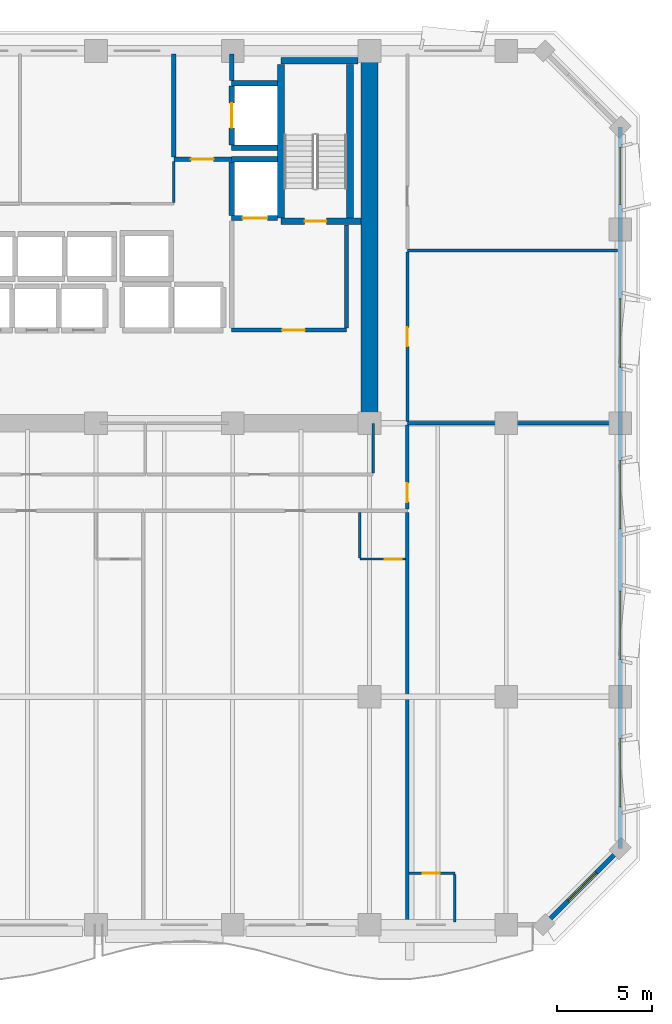
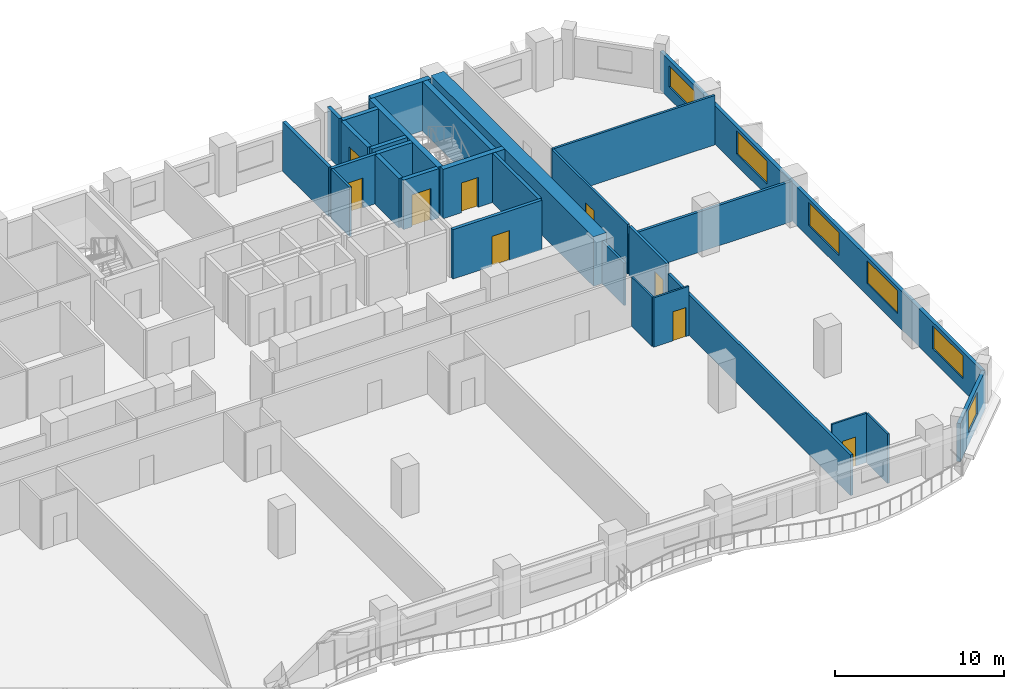
# One storey, part 8 of 14: 29 walls, 9 doors, 6 windows, 15 openings.
"""IFC4 building model written with IfcOpenShell, lengths in metres."""

from ifc_helpers import new_model, si_unit, direction, frame, frame_2d, origin, place, context, subcontext, project, spatial, rectangle, extrude, material, layer, layer_set, type_object, element, fill, save


model = new_model("IFC4")

# Units and contexts
model_context = context("Model", 3, precision=1e-05, world=origin(), true_north=direction((0.0, 1.0)))
body_context = subcontext(model_context, "Body", "Model", "MODEL_VIEW")
ifc_project = project(units=[si_unit("LENGTHUNIT", "METRE"), si_unit("AREAUNIT", "SQUARE_METRE"), si_unit("VOLUMEUNIT", "CUBIC_METRE"), si_unit("PLANEANGLEUNIT", "RADIAN"), si_unit("MASSUNIT", "GRAM", prefix="KILO")], contexts=[model_context])

# Site, building, storey
site_placement = place(None, origin())
site = spatial("IfcSite", under=ifc_project, at=site_placement, CompositionType="ELEMENT")
building_placement = place(site_placement, origin())
building = spatial("IfcBuilding", under=site, at=building_placement, Name="Kaelvorn Grand Hotel", CompositionType="ELEMENT")
storey_placement = place(building_placement, frame((0.0, 0.0, 216.75)))
storey = spatial("IfcBuildingStorey", under=building, at=storey_placement, Name="L53", CompositionType="ELEMENT", Elevation=216.75)

# Wall
ifc_material_1 = material(Name="Concrete C60/75", Category="concrete")
ifc_layer_1 = layer(ifc_material_1, 0.89990234375)
ifc_layer_set_1 = layer_set([ifc_layer_1], Name="Concrete C60/75")
wall_type_1 = type_object("IfcWallType", Name="WL-CORE-900-C60", PredefinedType="SHEAR", material=ifc_layer_set_1)
wall_1_placement = place(storey_placement, frame((67.800048828125, 29.39990234375, 0.0), z_axis=(0.0, 0.0, 1.0), x_axis=(0.0, 1.0, 0.0)))
element("IfcWall", 1, at=wall_1_placement, inside=storey, type_object=wall_type_1, Name="L53 Rear-Core East Shear Wall", PredefinedType="SHEAR", context=body_context, shape_type="SweptSolid", body=[
    extrude(rectangle(XDim=19.2001953125, YDim=0.89990234375, at=frame_2d((9.60009765625, 0.0))), origin(), (0.0, 0.0, 1.0), 3.56005859375),
])

# Wall, opening, window
ifc_material_2 = material(Name="Concrete C40/50", Category="concrete")
ifc_layer_2 = layer(ifc_material_2, 0.239990234375)
ifc_layer_set_2 = layer_set([ifc_layer_2], Name="Concrete C40/50")
wall_type_2 = type_object("IfcWallType", Name="WL-EXT-240-C40", PredefinedType="SOLIDWALL", material=ifc_layer_set_2)
wall_2_placement = place(storey_placement, frame((77.0, 3.0, 0.0), z_axis=(0.0, 0.0, 1.0), x_axis=(0.707106781187, 0.707106781187, 0.0)))
wall_2 = element("IfcWall", 2, at=wall_2_placement, inside=storey, type_object=wall_type_2, Name="L53 Exterior Architectural Concrete Wall 02", PredefinedType="SOLIDWALL", context=body_context, shape_type="SweptSolid", body=[
    extrude(rectangle(XDim=5.65673828125, YDim=0.239990234375, at=frame_2d((2.828369140625, 0.0))), origin(), (0.0, 0.0, 1.0), 2.760009765625),
])
opening_1_placement = place(wall_2_placement, frame((1.7783203125, 0.0, 0.85009765625)))
opening_1 = element("IfcOpeningElement", 3, at=opening_1_placement, cuts=wall_2, Name="Opening W7", PredefinedType="OPENING", context=body_context, shape_type="SweptSolid", body=[
    extrude(rectangle(XDim=2.10009765625, YDim=1.60009765625, at=frame_2d((1.050048828125, 0.800048828125))), frame((0.0, 0.1298828125, 0.0), z_axis=(0.0, -1.0, 0.0), x_axis=(1.0, 0.0, 0.0)), (0.0, 0.0, 1.0), 0.260009765625),
])
ifc_material_3 = material(Name="Laminated Low-E Glass", Category="glass")
window_type_1 = type_object("IfcWindowType", Name="WIN-CHM-2100x1600", PartitioningType="SINGLE_PANEL", PredefinedType="WINDOW", material=ifc_material_3)
window_1_placement = place(opening_1_placement, origin())
window_1 = element("IfcWindow", 4, at=window_1_placement, inside=storey, type_object=window_type_1, Name="L53 Chamfered 45-Degree Corner Window SE", OverallHeight=1.60009765625, OverallWidth=2.10009765625, PartitioningType="SINGLE_PANEL", PredefinedType="WINDOW", context=body_context, shape_type="SweptSolid", body=[
    extrude(rectangle(XDim=2.10009765625, YDim=1.60009765625, at=frame_2d((1.050048828125, 0.800048828125))), frame((0.0, 0.030029296875, 0.0), z_axis=(0.0, -1.0, 0.0), x_axis=(1.0, 0.0, 0.0)), (0.0, 0.0, 1.0), 0.06005859375),
])
fill(opening_1, window_1)

# Wall, openings, windows
wall_3_placement = place(storey_placement, frame((81.0, 7.0, 0.0), z_axis=(0.0, 0.0, 1.0), x_axis=(0.0, 1.0, 0.0)))
wall_3 = element("IfcWall", 5, at=wall_3_placement, inside=storey, type_object=wall_type_2, Name="L53 Exterior Architectural Concrete Wall 03", PredefinedType="SOLIDWALL", context=body_context, shape_type="SweptSolid", body=[
    extrude(rectangle(XDim=38.0, YDim=0.239990234375, at=frame_2d((19.0, 0.0))), origin(), (0.0, 0.0, 1.0), 2.760009765625),
])
opening_2_placement = place(wall_3_placement, frame((2.199951171875, 0.0, 0.85009765625)))
opening_2 = element("IfcOpeningElement", 6, at=opening_2_placement, cuts=wall_3, Name="Opening W3", PredefinedType="OPENING", context=body_context, shape_type="SweptSolid", body=[
    extrude(rectangle(XDim=3.60009765625, YDim=1.64990234375, at=frame_2d((1.800048828125, 0.824951171875))), frame((0.0, 0.1298828125, 0.0), z_axis=(0.0, -1.0, 0.0), x_axis=(1.0, 0.0, 0.0)), (0.0, 0.0, 1.0), 0.260009765625),
])
opening_3_placement = place(wall_3_placement, frame((9.965087890625, 0.0, 0.85009765625)))
opening_3 = element("IfcOpeningElement", 7, at=opening_3_placement, cuts=wall_3, Name="Opening W3", PredefinedType="OPENING", context=body_context, shape_type="SweptSolid", body=[
    extrude(rectangle(XDim=3.60009765625, YDim=1.64990234375, at=frame_2d((1.800048828125, 0.824951171875))), frame((0.0, 0.1298828125, 0.0), z_axis=(0.0, -1.0, 0.0), x_axis=(1.0, 0.0, 0.0)), (0.0, 0.0, 1.0), 0.260009765625),
])
opening_4_placement = place(wall_3_placement, frame((16.8349609375, 0.0, 0.85009765625)))
opening_4 = element("IfcOpeningElement", 8, at=opening_4_placement, cuts=wall_3, Name="Opening W3", PredefinedType="OPENING", context=body_context, shape_type="SweptSolid", body=[
    extrude(rectangle(XDim=3.60009765625, YDim=1.64990234375, at=frame_2d((1.800048828125, 0.824951171875))), frame((0.0, 0.1298828125, 0.0), z_axis=(0.0, -1.0, 0.0), x_axis=(1.0, 0.0, 0.0)), (0.0, 0.0, 1.0), 0.260009765625),
])
opening_5_placement = place(wall_3_placement, frame((25.35009765625, 0.0, 0.85009765625)))
opening_5 = element("IfcOpeningElement", 9, at=opening_5_placement, cuts=wall_3, Name="Opening W3", PredefinedType="OPENING", context=body_context, shape_type="SweptSolid", body=[
    extrude(rectangle(XDim=3.60009765625, YDim=1.64990234375, at=frame_2d((1.800048828125, 0.824951171875))), frame((0.0, 0.1298828125, 0.0), z_axis=(0.0, -1.0, 0.0), x_axis=(1.0, 0.0, 0.0)), (0.0, 0.0, 1.0), 0.260009765625),
])
opening_6_placement = place(wall_3_placement, frame((33.9150390625, 0.0, 0.85009765625)))
opening_6 = element("IfcOpeningElement", 10, at=opening_6_placement, cuts=wall_3, Name="Opening W5", PredefinedType="OPENING", context=body_context, shape_type="SweptSolid", body=[
    extrude(rectangle(XDim=3.0, YDim=1.5, at=frame_2d((1.5, 0.75))), frame((0.0, 0.1298828125, 0.0), z_axis=(0.0, -1.0, 0.0), x_axis=(1.0, 0.0, 0.0)), (0.0, 0.0, 1.0), 0.260009765625),
])
window_type_2 = type_object("IfcWindowType", Name="WIN-NTH-3000x1500", PartitioningType="SINGLE_PANEL", PredefinedType="WINDOW", material=ifc_material_3)
window_2_placement = place(opening_6_placement, origin())
window_2 = element("IfcWindow", 11, at=window_2_placement, inside=storey, type_object=window_type_2, Name="L53 E Wing Tilted-Frame Ribbon Window E05", OverallHeight=1.5, OverallWidth=3.0, PartitioningType="SINGLE_PANEL", PredefinedType="WINDOW", context=body_context, shape_type="SweptSolid", body=[
    extrude(rectangle(XDim=3.0, YDim=1.5, at=frame_2d((1.5, 0.75))), frame((0.0, 0.030029296875, 0.0), z_axis=(0.0, -1.0, 0.0), x_axis=(1.0, 0.0, 0.0)), (0.0, 0.0, 1.0), 0.06005859375),
])
fill(opening_6, window_2)
window_type_3 = type_object("IfcWindowType", Name="WIN-RIB-3600x1750", PartitioningType="SINGLE_PANEL", PredefinedType="WINDOW", material=ifc_material_3)
window_3_placement = place(opening_2_placement, origin())
window_3 = element("IfcWindow", 12, at=window_3_placement, inside=storey, type_object=window_type_3, Name="L53 E Wing Tilted-Frame Ribbon Window E01", OverallHeight=1.64990234375, OverallWidth=3.60009765625, PartitioningType="SINGLE_PANEL", PredefinedType="WINDOW", context=body_context, shape_type="SweptSolid", body=[
    extrude(rectangle(XDim=3.60009765625, YDim=1.64990234375, at=frame_2d((1.800048828125, 0.824951171875))), frame((0.0, 0.030029296875, 0.0), z_axis=(0.0, -1.0, 0.0), x_axis=(1.0, 0.0, 0.0)), (0.0, 0.0, 1.0), 0.06005859375),
])
fill(opening_2, window_3)
window_4_placement = place(opening_3_placement, origin())
window_4 = element("IfcWindow", 13, at=window_4_placement, inside=storey, type_object=window_type_3, Name="L53 E Wing Tilted-Frame Ribbon Window E02", OverallHeight=1.64990234375, OverallWidth=3.60009765625, PartitioningType="SINGLE_PANEL", PredefinedType="WINDOW", context=body_context, shape_type="SweptSolid", body=[
    extrude(rectangle(XDim=3.60009765625, YDim=1.64990234375, at=frame_2d((1.800048828125, 0.824951171875))), frame((0.0, 0.030029296875, 0.0), z_axis=(0.0, -1.0, 0.0), x_axis=(1.0, 0.0, 0.0)), (0.0, 0.0, 1.0), 0.06005859375),
])
fill(opening_3, window_4)
window_5_placement = place(opening_4_placement, origin())
window_5 = element("IfcWindow", 14, at=window_5_placement, inside=storey, type_object=window_type_3, Name="L53 E Wing Tilted-Frame Ribbon Window E03", OverallHeight=1.64990234375, OverallWidth=3.60009765625, PartitioningType="SINGLE_PANEL", PredefinedType="WINDOW", context=body_context, shape_type="SweptSolid", body=[
    extrude(rectangle(XDim=3.60009765625, YDim=1.64990234375, at=frame_2d((1.800048828125, 0.824951171875))), frame((0.0, 0.030029296875, 0.0), z_axis=(0.0, -1.0, 0.0), x_axis=(1.0, 0.0, 0.0)), (0.0, 0.0, 1.0), 0.06005859375),
])
fill(opening_4, window_5)
window_6_placement = place(opening_5_placement, origin())
window_6 = element("IfcWindow", 15, at=window_6_placement, inside=storey, type_object=window_type_3, Name="L53 E Wing Tilted-Frame Ribbon Window E04", OverallHeight=1.64990234375, OverallWidth=3.60009765625, PartitioningType="SINGLE_PANEL", PredefinedType="WINDOW", context=body_context, shape_type="SweptSolid", body=[
    extrude(rectangle(XDim=3.60009765625, YDim=1.64990234375, at=frame_2d((1.800048828125, 0.824951171875))), frame((0.0, 0.030029296875, 0.0), z_axis=(0.0, -1.0, 0.0), x_axis=(1.0, 0.0, 0.0)), (0.0, 0.0, 1.0), 0.06005859375),
])
fill(opening_5, window_6)

# Wall, opening, door
ifc_material_4 = material(Name="Moisture-Resistant Tile & Stud Board")
ifc_layer_3 = layer(ifc_material_4, 0.125)
ifc_layer_set_3 = layer_set([ifc_layer_3], Name="Moisture-Resistant Tile & Stud Board")
wall_type_3 = type_object("IfcWallType", Name="WL-PART-125-WET", PredefinedType="PARTITIONING", material=ifc_layer_set_3)
wall_4_placement = place(storey_placement, frame((67.300048828125, 22.25, 0.0), z_axis=(0.0, 0.0, 1.0), x_axis=(1.0, 0.0, 0.0)))
wall_4 = element("IfcWall", 16, at=wall_4_placement, inside=storey, type_object=wall_type_3, Name="L53 En-suite Bathroom L53-04 S Partition", PredefinedType="PARTITIONING", context=body_context, shape_type="SweptSolid", body=[
    extrude(rectangle(XDim=2.405029296875, YDim=0.125, at=frame_2d((1.20263671875, 0.0))), origin(), (0.0, 0.0, 1.0), 3.56005859375),
])
opening_7_placement = place(wall_4_placement, frame((1.300048828125, 0.0, 0.0)))
opening_7 = element("IfcOpeningElement", 17, at=opening_7_placement, cuts=wall_4, Name="Opening DI4", PredefinedType="OPENING", context=body_context, shape_type="SweptSolid", body=[
    extrude(rectangle(XDim=0.89990234375, YDim=2.10009765625, at=frame_2d((0.449951171875, 1.050048828125))), frame((0.0, 0.072509765625, 0.0), z_axis=(0.0, -1.0, 0.0), x_axis=(1.0, 0.0, 0.0)), (0.0, 0.0, 1.0), 0.14501953125),
])
ifc_material_5 = material(Name="Timber Veneer Leaf", Category="wood")
door_type_1 = type_object("IfcDoorType", Name="DR-INT-BATH-900x2100", OperationType="NOTDEFINED", PredefinedType="DOOR", material=ifc_material_5)
door_1_placement = place(opening_7_placement, origin())
door_1 = element("IfcDoor", 18, at=door_1_placement, inside=storey, type_object=door_type_1, Name="L53 En-suite Bathroom L53-04 Door", OperationType="SINGLE_SWING_LEFT", OverallHeight=2.10009765625, OverallWidth=0.89990234375, PredefinedType="DOOR", context=body_context, shape_type="SweptSolid", body=[
    extrude(rectangle(XDim=0.89990234375, YDim=2.10009765625, at=frame_2d((0.449951171875, 1.050048828125))), frame((0.0, 0.02490234375, 0.0), z_axis=(0.0, -1.0, 0.0), x_axis=(1.0, 0.0, 0.0)), (0.0, 0.0, 1.0), 0.050048828125),
])
fill(opening_7, door_1)

# Wall
wall_5_placement = place(storey_placement, frame((67.300048828125, 22.3173828125, 0.0), z_axis=(0.0, 0.0, 1.0), x_axis=(0.0, 1.0, 0.0)))
element("IfcWall", 19, at=wall_5_placement, inside=storey, type_object=wall_type_3, Name="L53 En-suite Bathroom L53-04 W Partition", PredefinedType="PARTITIONING", context=body_context, shape_type="SweptSolid", body=[
    extrude(rectangle(XDim=2.3876953125, YDim=0.125, at=frame_2d((1.19384765625, 0.0))), origin(), (0.0, 0.0, 1.0), 3.56005859375),
])

# Wall, opening, door
wall_6_placement = place(storey_placement, frame((69.89501953125, 5.699951171875, 0.0), z_axis=(0.0, 0.0, 1.0), x_axis=(1.0, 0.0, 0.0)))
wall_6 = element("IfcWall", 20, at=wall_6_placement, inside=storey, type_object=wall_type_3, Name="L53 En-suite Bathroom L53-06 N Partition", PredefinedType="PARTITIONING", context=body_context, shape_type="SweptSolid", body=[
    extrude(rectangle(XDim=2.405029296875, YDim=0.125, at=frame_2d((1.20263671875, 0.0))), origin(), (0.0, 0.0, 1.0), 3.56005859375),
])
opening_8_placement = place(wall_6_placement, frame((0.705078125, 0.0, 0.0)))
opening_8 = element("IfcOpeningElement", 21, at=opening_8_placement, cuts=wall_6, Name="Opening DI4", PredefinedType="OPENING", context=body_context, shape_type="SweptSolid", body=[
    extrude(rectangle(XDim=0.89990234375, YDim=2.10009765625, at=frame_2d((0.449951171875, 1.050048828125))), frame((0.0, 0.072509765625, 0.0), z_axis=(0.0, -1.0, 0.0), x_axis=(1.0, 0.0, 0.0)), (0.0, 0.0, 1.0), 0.14501953125),
])
door_2_placement = place(opening_8_placement, origin())
door_2 = element("IfcDoor", 22, at=door_2_placement, inside=storey, type_object=door_type_1, Name="L53 En-suite Bathroom L53-06 Door", OperationType="SINGLE_SWING_LEFT", OverallHeight=2.10009765625, OverallWidth=0.89990234375, PredefinedType="DOOR", context=body_context, shape_type="SweptSolid", body=[
    extrude(rectangle(XDim=0.89990234375, YDim=2.10009765625, at=frame_2d((0.449951171875, 1.050048828125))), frame((0.0, 0.02490234375, 0.0), z_axis=(0.0, -1.0, 0.0), x_axis=(1.0, 0.0, 0.0)), (0.0, 0.0, 1.0), 0.050048828125),
])
fill(opening_8, door_2)

# Walls
wall_7_placement = place(storey_placement, frame((72.300048828125, 3.14990234375, 0.0), z_axis=(0.0, 0.0, 1.0), x_axis=(0.0, 1.0, 0.0)))
element("IfcWall", 23, at=wall_7_placement, inside=storey, type_object=wall_type_3, Name="L53 En-suite Bathroom L53-06 E Partition", PredefinedType="PARTITIONING", context=body_context, shape_type="SweptSolid", body=[
    extrude(rectangle(XDim=2.482666015625, YDim=0.125, at=frame_2d((1.2412109375, 0.0))), origin(), (0.0, 0.0, 1.0), 3.56005859375),
])
ifc_material_6 = material(Name="Acoustic Gypsum & Stud Partition")
ifc_layer_4 = layer(ifc_material_6, 0.14990234375)
ifc_layer_set_4 = layer_set([ifc_layer_4], Name="Acoustic Gypsum & Stud Partition")
wall_type_4 = type_object("IfcWallType", Name="WL-PART-150-EI60", PredefinedType="PARTITIONING", material=ifc_layer_set_4)
wall_8_placement = place(storey_placement, frame((57.5, 41.030029296875, 0.0), z_axis=(0.0, 0.0, 1.0), x_axis=(0.0, 1.0, 0.0)))
element("IfcWall", 24, at=wall_8_placement, inside=storey, type_object=wall_type_4, Name="L53 Butler Servery Pantry E Partition", PredefinedType="PARTITIONING", context=body_context, shape_type="SweptSolid", body=[
    extrude(rectangle(XDim=2.155029296875, YDim=0.14990234375, at=frame_2d((1.07763671875, 0.0))), origin(), (0.0, 0.0, 1.0), 3.56005859375),
])
wall_9_placement = place(storey_placement, frame((68.0, 26.780029296875, 0.0), z_axis=(0.0, 0.0, 1.0), x_axis=(0.0, 1.0, 0.0)))
element("IfcWall", 25, at=wall_9_placement, inside=storey, type_object=wall_type_4, Name="L53 Trade Advisory Office E Partition", PredefinedType="PARTITIONING", context=body_context, shape_type="SweptSolid", body=[
    extrude(rectangle(XDim=2.60986328125, YDim=0.14990234375, at=frame_2d((1.304931640625, 0.0))), origin(), (0.0, 0.0, 1.0), 3.06005859375),
])
wall_10_placement = place(storey_placement, frame((69.800048828125, 38.5, 0.0), z_axis=(0.0, 0.0, 1.0), x_axis=(1.0, 0.0, 0.0)))
element("IfcWall", 26, at=wall_10_placement, inside=storey, type_object=wall_type_4, Name="L53 North-East Trade Advisory Office N Partition", PredefinedType="PARTITIONING", context=body_context, shape_type="SweptSolid", body=[
    extrude(rectangle(XDim=11.050048828125, YDim=0.14990234375, at=frame_2d((5.52490234375, 0.0))), origin(), (0.0, 0.0, 1.0), 3.56005859375),
])

# Wall, opening, door
wall_11_placement = place(storey_placement, frame((69.800048828125, 29.4951171875, 0.0), z_axis=(0.0, 0.0, 1.0), x_axis=(0.0, 1.0, 0.0)))
wall_11 = element("IfcWall", 27, at=wall_11_placement, inside=storey, type_object=wall_type_4, Name="L53 North-East Trade Advisory Office W Partition", PredefinedType="PARTITIONING", context=body_context, shape_type="SweptSolid", body=[
    extrude(rectangle(XDim=8.9248046875, YDim=0.14990234375, at=frame_2d((4.46240234375, 0.0))), origin(), (0.0, 0.0, 1.0), 3.56005859375),
])
opening_9_placement = place(wall_11_placement, frame((3.955078125, 0.0, 0.0)))
opening_9 = element("IfcOpeningElement", 28, at=opening_9_placement, cuts=wall_11, Name="Opening DI3", PredefinedType="OPENING", context=body_context, shape_type="SweptSolid", body=[
    extrude(rectangle(XDim=1.0, YDim=2.14990234375, at=frame_2d((0.5, 1.074951171875))), frame((0.0, 0.0849609375, 0.0), z_axis=(0.0, -1.0, 0.0), x_axis=(1.0, 0.0, 0.0)), (0.0, 0.0, 1.0), 0.169921875),
])
ifc_material_7 = material(Name="Timber Veneer Fire Leaf", Category="wood")
door_type_2 = type_object("IfcDoorType", Name="DR-INT-GUEST-1000x2150", OperationType="NOTDEFINED", PredefinedType="DOOR", material=ifc_material_7)
door_3_placement = place(opening_9_placement, origin())
door_3 = element("IfcDoor", 29, at=door_3_placement, inside=storey, type_object=door_type_2, Name="L53 North-East Trade Advisory Office Door", OperationType="SINGLE_SWING_RIGHT", OverallHeight=2.14990234375, OverallWidth=1.0, PredefinedType="DOOR", context=body_context, shape_type="SweptSolid", body=[
    extrude(rectangle(XDim=1.0, YDim=2.14990234375, at=frame_2d((0.5, 1.074951171875))), frame((0.0, 0.02490234375, 0.0), z_axis=(0.0, -1.0, 0.0), x_axis=(1.0, 0.0, 0.0)), (0.0, 0.0, 1.0), 0.050048828125),
])
fill(opening_9, door_3)

# Walls
ifc_layer_5 = layer(ifc_material_6, 0.179931640625)
ifc_layer_set_5 = layer_set([ifc_layer_5], Name="Acoustic Gypsum & Stud Partition")
wall_type_5 = type_object("IfcWallType", Name="WL-PART-180-EI60", PredefinedType="PARTITIONING", material=ifc_layer_set_5)
wall_12_placement = place(storey_placement, frame((69.800048828125, 3.14990234375, 0.0), z_axis=(0.0, 0.0, 1.0), x_axis=(0.0, 1.0, 0.0)))
element("IfcWall", 30, at=wall_12_placement, inside=storey, type_object=wall_type_5, Name="L53 Presidential Sky Suite L53-04 E Partition", PredefinedType="PARTITIONING", context=body_context, shape_type="SweptSolid", body=[
    extrude(rectangle(XDim=21.55517578125, YDim=0.179931640625, at=frame_2d((10.777587890625, 0.0))), origin(), (0.0, 0.0, 1.0), 2.929931640625),
])
wall_13_placement = place(storey_placement, frame((69.800048828125, 29.39990234375, 0.0), z_axis=(0.0, 0.0, 1.0), x_axis=(1.0, 0.0, 0.0)))
element("IfcWall", 31, at=wall_13_placement, inside=storey, type_object=wall_type_5, Name="L53 Presidential Sky Suite L53-06 N Partition", PredefinedType="PARTITIONING", context=body_context, shape_type="SweptSolid", body=[
    extrude(rectangle(XDim=11.050048828125, YDim=0.179931640625, at=frame_2d((5.52490234375, 0.0))), origin(), (0.0, 0.0, 1.0), 2.909912109375),
])

# Wall, opening, door
wall_14_placement = place(storey_placement, frame((69.800048828125, 24.89501953125, 0.0), z_axis=(0.0, 0.0, 1.0), x_axis=(0.0, 1.0, 0.0)))
wall_14 = element("IfcWall", 32, at=wall_14_placement, inside=storey, type_object=wall_type_5, Name="L53 Presidential Sky Suite L53-06 W Partition", PredefinedType="PARTITIONING", context=body_context, shape_type="SweptSolid", body=[
    extrude(rectangle(XDim=4.409912109375, YDim=0.179931640625, at=frame_2d((2.205078125, 0.0))), origin(), (0.0, 0.0, 1.0), 3.56005859375),
])
opening_10_placement = place(wall_14_placement, frame((0.35498046875, 0.0, 0.0)))
opening_10 = element("IfcOpeningElement", 33, at=opening_10_placement, cuts=wall_14, Name="Opening DI3", PredefinedType="OPENING", context=body_context, shape_type="SweptSolid", body=[
    extrude(rectangle(XDim=1.0, YDim=2.14990234375, at=frame_2d((0.5, 1.074951171875))), frame((0.0, 0.10009765625, 0.0), z_axis=(0.0, -1.0, 0.0), x_axis=(1.0, 0.0, 0.0)), (0.0, 0.0, 1.0), 0.199951171875),
])
door_4_placement = place(opening_10_placement, origin())
door_4 = element("IfcDoor", 34, at=door_4_placement, inside=storey, type_object=door_type_2, Name="L53 Presidential Sky Suite L53-06 Door", OperationType="SINGLE_SWING_RIGHT", OverallHeight=2.14990234375, OverallWidth=1.0, PredefinedType="DOOR", context=body_context, shape_type="SweptSolid", body=[
    extrude(rectangle(XDim=1.0, YDim=2.14990234375, at=frame_2d((0.5, 1.074951171875))), frame((0.0, 0.02490234375, 0.0), z_axis=(0.0, -1.0, 0.0), x_axis=(1.0, 0.0, 0.0)), (0.0, 0.0, 1.0), 0.050048828125),
])
fill(opening_10, door_4)

ifc_layer_6 = layer(ifc_material_2, 0.219970703125)
ifc_layer_set_6 = layer_set([ifc_layer_6], Name="Concrete C40/50")
wall_type_6 = type_object("IfcWallType", Name="WL-PART-220-EI120", PredefinedType="PARTITIONING", material=ifc_layer_set_6)
wall_15_placement = place(storey_placement, frame((60.550048828125, 34.300048828125, 0.0), z_axis=(0.0, 0.0, 1.0), x_axis=(1.0, 0.0, 0.0)))
wall_15 = element("IfcWall", 35, at=wall_15_placement, inside=storey, type_object=wall_type_6, Name="L53 Firefighting Lift Lobby 2 S Partition", PredefinedType="PARTITIONING", context=body_context, shape_type="SweptSolid", body=[
    extrude(rectangle(XDim=6.050048828125, YDim=0.219970703125, at=frame_2d((3.02490234375, 0.0))), origin(), (0.0, 0.0, 1.0), 3.56005859375),
])
opening_11_placement = place(wall_15_placement, frame((2.64990234375, 0.0, 0.0)))
opening_11 = element("IfcOpeningElement", 36, at=opening_11_placement, cuts=wall_15, Name="Opening DI2", PredefinedType="OPENING", context=body_context, shape_type="SweptSolid", body=[
    extrude(rectangle(XDim=1.199951171875, YDim=2.14990234375, at=frame_2d((0.60009765625, 1.074951171875))), frame((0.0, 0.1201171875, 0.0), z_axis=(0.0, -1.0, 0.0), x_axis=(1.0, 0.0, 0.0)), (0.0, 0.0, 1.0), 0.239990234375),
])
door_type_3 = type_object("IfcDoorType", Name="DR-INT-FFLOB-1200x2150", OperationType="NOTDEFINED", PredefinedType="DOOR", material=ifc_material_7)
door_5_placement = place(opening_11_placement, origin())
door_5 = element("IfcDoor", 37, at=door_5_placement, inside=storey, type_object=door_type_3, Name="L53 Firefighting Lift Lobby 2 Door", OperationType="SINGLE_SWING_RIGHT", OverallHeight=2.14990234375, OverallWidth=1.199951171875, PredefinedType="DOOR", context=body_context, shape_type="SweptSolid", body=[
    extrude(rectangle(XDim=1.199951171875, YDim=2.14990234375, at=frame_2d((0.60009765625, 1.074951171875))), frame((0.0, 0.02490234375, 0.0), z_axis=(0.0, -1.0, 0.0), x_axis=(1.0, 0.0, 0.0)), (0.0, 0.0, 1.0), 0.050048828125),
])
fill(opening_11, door_5)

# Wall
wall_16_placement = place(storey_placement, frame((66.60009765625, 34.4150390625, 0.0), z_axis=(0.0, 0.0, 1.0), x_axis=(0.0, 1.0, 0.0)))
element("IfcWall", 38, at=wall_16_placement, inside=storey, type_object=wall_type_6, Name="L53 Firefighting Lift Lobby 2 E Partition", PredefinedType="PARTITIONING", context=body_context, shape_type="SweptSolid", body=[
    extrude(rectangle(XDim=5.429931640625, YDim=0.219970703125, at=frame_2d((2.71484375, 0.0))), origin(), (0.0, 0.0, 1.0), 3.56005859375),
])

# Wall, opening, door
wall_17_placement = place(storey_placement, frame((57.5, 43.300048828125, 0.0), z_axis=(0.0, 0.0, 1.0), x_axis=(1.0, 0.0, 0.0)))
wall_17 = element("IfcWall", 39, at=wall_17_placement, inside=storey, type_object=wall_type_6, Name="L53 Service Lift Lobby S Partition", PredefinedType="PARTITIONING", context=body_context, shape_type="SweptSolid", body=[
    extrude(rectangle(XDim=3.0400390625, YDim=0.219970703125, at=frame_2d((1.52001953125, 0.0))), origin(), (0.0, 0.0, 1.0), 3.56005859375),
])
opening_12_placement = place(wall_17_placement, frame((0.89990234375, 0.0, 0.0)))
opening_12 = element("IfcOpeningElement", 40, at=opening_12_placement, cuts=wall_17, Name="Opening DI2", PredefinedType="OPENING", context=body_context, shape_type="SweptSolid", body=[
    extrude(rectangle(XDim=1.199951171875, YDim=2.14990234375, at=frame_2d((0.60009765625, 1.074951171875))), frame((0.0, 0.1201171875, 0.0), z_axis=(0.0, -1.0, 0.0), x_axis=(1.0, 0.0, 0.0)), (0.0, 0.0, 1.0), 0.239990234375),
])
door_6_placement = place(opening_12_placement, origin())
door_6 = element("IfcDoor", 41, at=door_6_placement, inside=storey, type_object=door_type_3, Name="L53 Service Lift Lobby Door", OperationType="SINGLE_SWING_RIGHT", OverallHeight=2.14990234375, OverallWidth=1.199951171875, PredefinedType="DOOR", context=body_context, shape_type="SweptSolid", body=[
    extrude(rectangle(XDim=1.199951171875, YDim=2.14990234375, at=frame_2d((0.60009765625, 1.074951171875))), frame((0.0, 0.02490234375, 0.0), z_axis=(0.0, -1.0, 0.0), x_axis=(1.0, 0.0, 0.0)), (0.0, 0.0, 1.0), 0.050048828125),
])
fill(opening_12, door_6)

# Walls
wall_18_placement = place(storey_placement, frame((57.5, 43.4150390625, 0.0), z_axis=(0.0, 0.0, 1.0), x_axis=(0.0, 1.0, 0.0)))
element("IfcWall", 42, at=wall_18_placement, inside=storey, type_object=wall_type_6, Name="L53 Service Lift Lobby W Partition", PredefinedType="PARTITIONING", context=body_context, shape_type="SweptSolid", body=[
    extrude(rectangle(XDim=5.43505859375, YDim=0.219970703125, at=frame_2d((2.717529296875, 0.0))), origin(), (0.0, 0.0, 1.0), 3.56005859375),
])
wall_19_placement = place(storey_placement, frame((60.550048828125, 47.445068359375, 0.0), z_axis=(0.0, 0.0, 1.0), x_axis=(0.0, 1.0, 0.0)))
element("IfcWall", 43, at=wall_19_placement, inside=storey, type_object=wall_type_6, Name="L53 Service Lift Lobby E Partition", PredefinedType="PARTITIONING", context=body_context, shape_type="SweptSolid", body=[
    extrude(rectangle(XDim=1.405029296875, YDim=0.219970703125, at=frame_2d((0.70263671875, 0.0))), origin(), (0.0, 0.0, 1.0), 3.56005859375),
])

# Wall, opening, door
ifc_material_8 = material(Name="Concrete C50/60", Category="concrete")
ifc_layer_7 = layer(ifc_material_8, 0.280029296875)
ifc_layer_set_7 = layer_set([ifc_layer_7], Name="Concrete C50/60")
wall_type_7 = type_object("IfcWallType", Name="WL-SHAFT-280-C50", PredefinedType="SHEAR", material=ifc_layer_set_7)
wall_20_placement = place(storey_placement, frame((60.550048828125, 40.199951171875, 0.0), z_axis=(0.0, 0.0, 1.0), x_axis=(1.0, 0.0, 0.0)))
wall_20 = element("IfcWall", 44, at=wall_20_placement, inside=storey, type_object=wall_type_7, Name="L53 Lift FFL2 Shaft South Wall", PredefinedType="SHEAR", context=body_context, shape_type="SweptSolid", body=[
    extrude(rectangle(XDim=2.4150390625, YDim=0.280029296875, at=frame_2d((1.20751953125, 0.0))), origin(), (0.0, 0.0, 1.0), 3.56005859375),
])
opening_13_placement = place(wall_20_placement, frame((0.574951171875, 0.0, 0.0)))
opening_13 = element("IfcOpeningElement", 45, at=opening_13_placement, cuts=wall_20, Name="Opening LD-FFL2", PredefinedType="OPENING", context=body_context, shape_type="SweptSolid", body=[
    extrude(rectangle(XDim=1.300048828125, YDim=2.300048828125, at=frame_2d((0.64990234375, 1.14990234375))), frame((0.0, 0.14990234375, 0.0), z_axis=(0.0, -1.0, 0.0), x_axis=(1.0, 0.0, 0.0)), (0.0, 0.0, 1.0), 0.300048828125),
])
ifc_material_9 = material(Name="Stainless Steel", Category="steel")
door_type_4 = type_object("IfcDoorType", Name="DR-LIFT-SERV-1300x2300", OperationType="DOUBLE_DOOR_SLIDING", PredefinedType="DOOR", material=ifc_material_9)
door_7_placement = place(opening_13_placement, origin())
door_7 = element("IfcDoor", 46, at=door_7_placement, inside=storey, type_object=door_type_4, Name="L53 Lift FFL2 Sliding Landing Door LD-FFL2", OperationType="DOUBLE_DOOR_SLIDING", OverallHeight=2.300048828125, OverallWidth=1.300048828125, PredefinedType="DOOR", context=body_context, shape_type="SweptSolid", body=[
    extrude(rectangle(XDim=1.300048828125, YDim=2.300048828125, at=frame_2d((0.64990234375, 1.14990234375))), frame((0.0, 0.02490234375, 0.0), z_axis=(0.0, -1.0, 0.0), x_axis=(1.0, 0.0, 0.0)), (0.0, 0.0, 1.0), 0.050048828125),
])
fill(opening_13, door_7)

# Walls
wall_21_placement = place(storey_placement, frame((60.550048828125, 43.300048828125, 0.0), z_axis=(0.0, 0.0, 1.0), x_axis=(1.0, 0.0, 0.0)))
element("IfcWall", 47, at=wall_21_placement, inside=storey, type_object=wall_type_7, Name="L53 Lift FFL2 Shaft North Wall", PredefinedType="SHEAR", context=body_context, shape_type="SweptSolid", body=[
    extrude(rectangle(XDim=2.4150390625, YDim=0.280029296875, at=frame_2d((1.20751953125, 0.0))), origin(), (0.0, 0.0, 1.0), 3.56005859375),
])
wall_22_placement = place(storey_placement, frame((60.550048828125, 40.344970703125, 0.0), z_axis=(0.0, 0.0, 1.0), x_axis=(0.0, 1.0, 0.0)))
element("IfcWall", 48, at=wall_22_placement, inside=storey, type_object=wall_type_7, Name="L53 Lift FFL2 Shaft West Wall", PredefinedType="SHEAR", context=body_context, shape_type="SweptSolid", body=[
    extrude(rectangle(XDim=2.81005859375, YDim=0.280029296875, at=frame_2d((1.405029296875, 0.0))), origin(), (0.0, 0.0, 1.0), 3.56005859375),
])
for number, where, z_axis, x_axis, name in (
    (49, (60.550048828125, 43.89990234375, 0.0), (0.0, 0.0, 1.0), (1.0, 0.0, 0.0), "L53 Lift SV1 Shaft South Wall"),
    (50, (60.550048828125, 47.300048828125, 0.0), (0.0, 0.0, 1.0), (1.0, 0.0, 0.0), "L53 Lift SV1 Shaft North Wall"),
):
    element("IfcWall", number, at=place(storey_placement, frame(where, z_axis=z_axis, x_axis=x_axis)), inside=storey, type_object=wall_type_7, Name=name, PredefinedType="SHEAR", context=body_context, shape_type="SweptSolid", body=[
        extrude(rectangle(XDim=2.4150390625, YDim=0.280029296875, at=frame_2d((1.20751953125, 0.0))), origin(), (0.0, 0.0, 1.0), 3.56005859375),
    ])

# Wall, opening, door
wall_23_placement = place(storey_placement, frame((60.550048828125, 44.044921875, 0.0), z_axis=(0.0, 0.0, 1.0), x_axis=(0.0, 1.0, 0.0)))
wall_23 = element("IfcWall", 51, at=wall_23_placement, inside=storey, type_object=wall_type_7, Name="L53 Lift SV1 Shaft West Wall", PredefinedType="SHEAR", context=body_context, shape_type="SweptSolid", body=[
    extrude(rectangle(XDim=3.110107421875, YDim=0.280029296875, at=frame_2d((1.55517578125, 0.0))), origin(), (0.0, 0.0, 1.0), 3.56005859375),
])
opening_14_placement = place(wall_23_placement, frame((0.905029296875, 0.0, 0.0)))
opening_14 = element("IfcOpeningElement", 52, at=opening_14_placement, cuts=wall_23, Name="Opening LD-SV1", PredefinedType="OPENING", context=body_context, shape_type="SweptSolid", body=[
    extrude(rectangle(XDim=1.300048828125, YDim=2.300048828125, at=frame_2d((0.64990234375, 1.14990234375))), frame((0.0, 0.14990234375, 0.0), z_axis=(0.0, -1.0, 0.0), x_axis=(1.0, 0.0, 0.0)), (0.0, 0.0, 1.0), 0.300048828125),
])
door_8_placement = place(opening_14_placement, origin())
door_8 = element("IfcDoor", 53, at=door_8_placement, inside=storey, type_object=door_type_4, Name="L53 Lift SV1 Sliding Landing Door LD-SV1", OperationType="DOUBLE_DOOR_SLIDING", OverallHeight=2.300048828125, OverallWidth=1.300048828125, PredefinedType="DOOR", context=body_context, shape_type="SweptSolid", body=[
    extrude(rectangle(XDim=1.300048828125, YDim=2.300048828125, at=frame_2d((0.64990234375, 1.14990234375))), frame((0.0, 0.02490234375, 0.0), z_axis=(0.0, -1.0, 0.0), x_axis=(1.0, 0.0, 0.0)), (0.0, 0.0, 1.0), 0.050048828125),
])
fill(opening_14, door_8)

ifc_layer_8 = layer(ifc_material_1, 0.35009765625)
ifc_layer_set_8 = layer_set([ifc_layer_8], Name="Concrete C60/75")
wall_type_8 = type_object("IfcWallType", Name="WL-SHAFT-350-C60", PredefinedType="SHEAR", material=ifc_layer_set_8)
wall_24_placement = place(storey_placement, frame((63.14501953125, 40.02490234375, 0.0), z_axis=(0.0, 0.0, 1.0), x_axis=(1.0, 0.0, 0.0)))
wall_24 = element("IfcWall", 54, at=wall_24_placement, inside=storey, type_object=wall_type_8, Name="L53 ST3 Stair Shaft South Wall", PredefinedType="SHEAR", context=body_context, shape_type="SweptSolid", body=[
    extrude(rectangle(XDim=4.199951171875, YDim=0.35009765625, at=frame_2d((2.10009765625, 0.0))), origin(), (0.0, 0.0, 1.0), 3.56005859375),
])
opening_15_placement = place(wall_24_placement, frame((1.239990234375, 0.0, 0.0)))
opening_15 = element("IfcOpeningElement", 55, at=opening_15_placement, cuts=wall_24, Name="Opening DI1", PredefinedType="OPENING", context=body_context, shape_type="SweptSolid", body=[
    extrude(rectangle(XDim=1.14990234375, YDim=2.14990234375, at=frame_2d((0.574951171875, 1.074951171875))), frame((0.0, 0.18505859375, 0.0), z_axis=(0.0, -1.0, 0.0), x_axis=(1.0, 0.0, 0.0)), (0.0, 0.0, 1.0), 0.3701171875),
])
door_type_5 = type_object("IfcDoorType", Name="DR-INT-STAIR-1150x2150", OperationType="NOTDEFINED", PredefinedType="DOOR", material=ifc_material_7)
door_9_placement = place(opening_15_placement, origin())
door_9 = element("IfcDoor", 56, at=door_9_placement, inside=storey, type_object=door_type_5, Name="L53 ST3 Exit Stair Fire Door", OperationType="SINGLE_SWING_RIGHT", OverallHeight=2.14990234375, OverallWidth=1.14990234375, PredefinedType="DOOR", context=body_context, shape_type="SweptSolid", body=[
    extrude(rectangle(XDim=1.14990234375, YDim=2.14990234375, at=frame_2d((0.574951171875, 1.074951171875))), frame((0.0, 0.02490234375, 0.0), z_axis=(0.0, -1.0, 0.0), x_axis=(1.0, 0.0, 0.0)), (0.0, 0.0, 1.0), 0.050048828125),
])
fill(opening_15, door_9)

# Walls
wall_25_placement = place(storey_placement, frame((63.14501953125, 48.47509765625, 0.0), z_axis=(0.0, 0.0, 1.0), x_axis=(1.0, 0.0, 0.0)))
element("IfcWall", 57, at=wall_25_placement, inside=storey, type_object=wall_type_8, Name="L53 ST3 Stair Shaft North Wall", PredefinedType="SHEAR", context=body_context, shape_type="SweptSolid", body=[
    extrude(rectangle(XDim=4.050048828125, YDim=0.35009765625, at=frame_2d((2.02490234375, 0.0))), origin(), (0.0, 0.0, 1.0), 3.56005859375),
])
for number, where, z_axis, x_axis, name in (
    (58, (63.14501953125, 40.205078125, 0.0), (0.0, 0.0, 1.0), (0.0, 1.0, 0.0), "L53 ST3 Stair Shaft West Wall"),
    (59, (66.77490234375, 40.205078125, 0.0), (0.0, 0.0, 1.0), (0.0, 1.0, 0.0), "L53 ST3 Stair Shaft East Wall"),
):
    element("IfcWall", number, at=place(storey_placement, frame(where, z_axis=z_axis, x_axis=x_axis)), inside=storey, type_object=wall_type_8, Name=name, PredefinedType="SHEAR", context=body_context, shape_type="SweptSolid", body=[
        extrude(rectangle(XDim=8.08984375, YDim=0.35009765625, at=frame_2d((4.044921875, 0.0))), origin(), (0.0, 0.0, 1.0), 3.56005859375),
    ])

save(model, "model.ifc")
